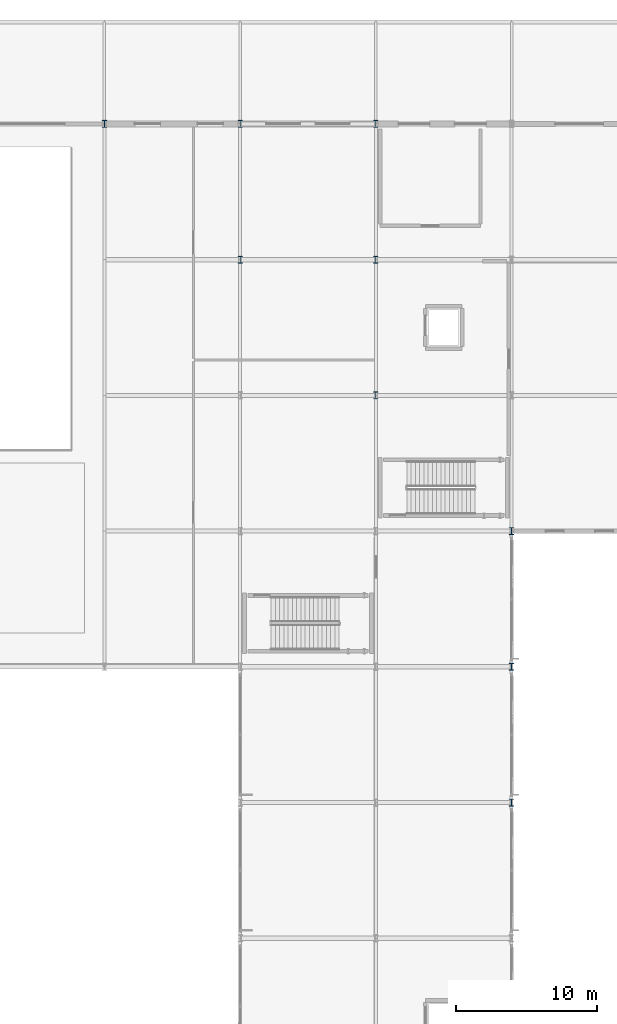
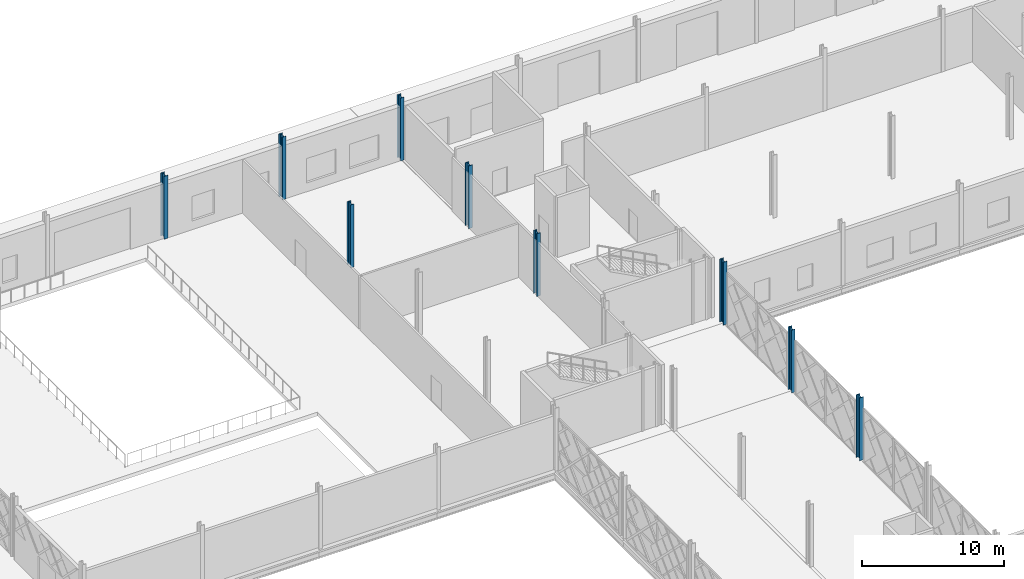
# One storey, part 14 of 84: 9 columns.
"""IFC4 building model written with IfcOpenShell, lengths in metres."""

from ifc_helpers import new_model, si_unit, direction, frame, origin, origin_2d, place, context, subcontext, project, spatial, i_section, extrude, material, material_profile, profile_set, type_object, element, save


model = new_model("IFC4")

# Units and contexts
model_context = context("Model", 3, precision=1e-05, world=origin(), true_north=direction((0.0, 1.0)))
body_context = subcontext(model_context, "Body", "Model", "MODEL_VIEW")
ifc_project = project(units=[si_unit("LENGTHUNIT", "METRE"), si_unit("AREAUNIT", "SQUARE_METRE"), si_unit("VOLUMEUNIT", "CUBIC_METRE"), si_unit("PLANEANGLEUNIT", "RADIAN"), si_unit("MASSUNIT", "GRAM", prefix="KILO")], contexts=[model_context])

# Site, building, storey
site_placement = place(None, origin())
site = spatial("IfcSite", under=ifc_project, at=site_placement, CompositionType="ELEMENT")
building_placement = place(site_placement, origin())
building = spatial("IfcBuilding", under=site, at=building_placement, Name="Zevrakil Square Congress Hotel", CompositionType="ELEMENT")
storey_placement = place(building_placement, origin())
storey = spatial("IfcBuildingStorey", under=building, at=storey_placement, Name="L01", CompositionType="ELEMENT", Elevation=0.0)

# Columns
ifc_material = material(Name="Steel S355", Category="steel")
ifc_material_profile = material_profile(ifc_material, i_section(OverallWidth=0.300048828125, OverallDepth=0.5, WebThickness=0.014404296875, FlangeThickness=0.028076171875, FilletRadius=0.027099609375, at=origin_2d()), Name="HEB 500")
ifc_profile_set = profile_set([ifc_material_profile], Name="Steel S355")
column_type = type_object("IfcColumnType", Name="COL-HEB500", PredefinedType="COLUMN", material=ifc_profile_set)
for number, where, z_axis, x_axis, name in (
    (1, (36.0, 112.800048828125, 0.0), (0.0, 0.0, 1.0), (1.0, 0.0, 0.0), "L01 column C-065"),
    (2, (45.60009765625, 103.199951171875, 0.0), (0.0, 0.0, 1.0), (1.0, 0.0, 0.0), "L01 column C-078"),
    (3, (45.60009765625, 112.800048828125, 0.0), (0.0, 0.0, 1.0), (1.0, 0.0, 0.0), "L01 column C-079"),
    (4, (55.199951171875, 93.60009765625, 0.0), (0.0, 0.0, 1.0), (1.0, 0.0, 0.0), "L01 column C-095"),
    (5, (55.199951171875, 103.199951171875, 0.0), (0.0, 0.0, 1.0), (1.0, 0.0, 0.0), "L01 column C-096"),
    (6, (55.199951171875, 112.800048828125, 0.0), (0.0, 0.0, 1.0), (1.0, 0.0, 0.0), "L01 column C-097"),
    (7, (64.800048828125, 64.800048828125, 0.0), (0.0, 0.0, 1.0), (1.0, 0.0, 0.0), "L01 column C-106"),
    (8, (64.800048828125, 74.39990234375, 0.0), (0.0, 0.0, 1.0), (1.0, 0.0, 0.0), "L01 column C-107"),
    (9, (64.800048828125, 84.0, 0.0), (0.0, 0.0, 1.0), (1.0, 0.0, 0.0), "L01 column C-108"),
):
    element("IfcColumn", number, at=place(storey_placement, frame(where, z_axis=z_axis, x_axis=x_axis)), inside=storey, type_object=column_type, Name=name, PredefinedType="COLUMN", context=body_context, shape_type="SweptSolid", body=[
        extrude(i_section(OverallWidth=0.300048828125, OverallDepth=0.5, WebThickness=0.014404296875, FlangeThickness=0.028076171875, FilletRadius=0.027099609375, at=origin_2d()), origin(), (0.0, 0.0, 1.0), 5.39990234375),
    ])

save(model, "model.ifc")
